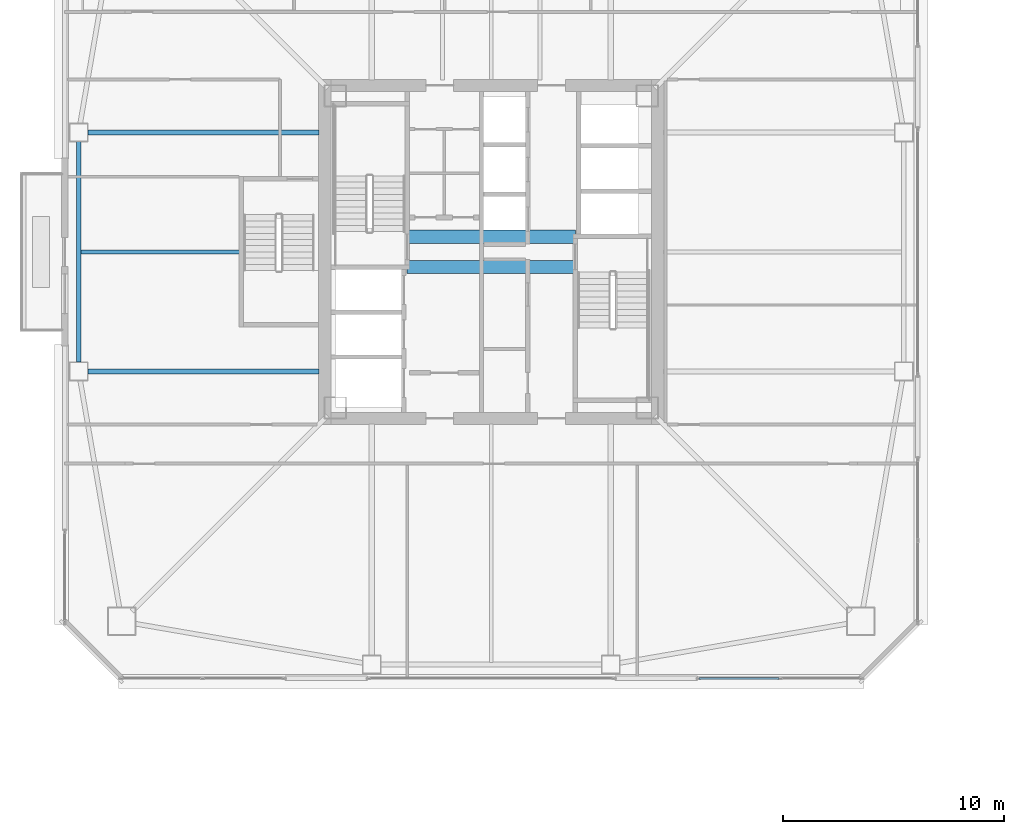
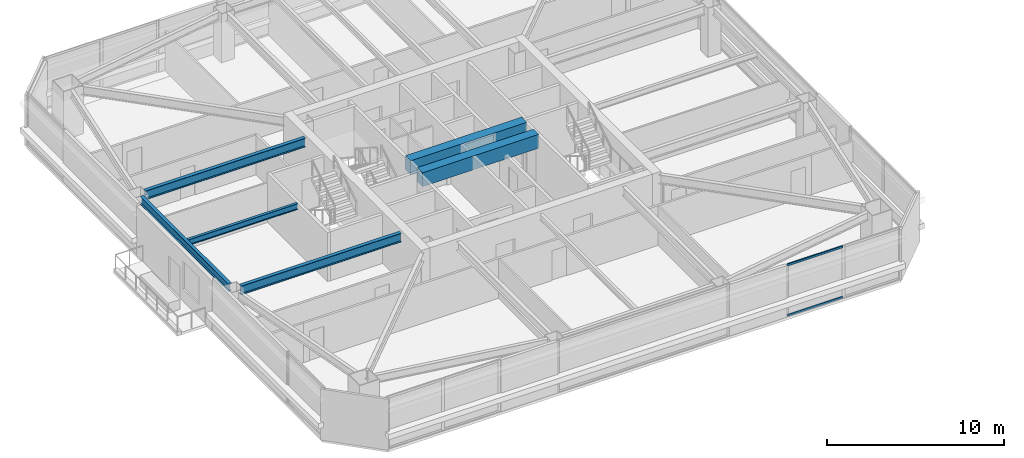
# One storey, part 6 of 46: 6 beams, 2 members, 1 element without a shape of its own.
"""IFC4 building model written with IfcOpenShell, lengths in metres."""

import ifcopenshell
import ifcopenshell.guid

model = None  # the IFC model being written
_history = None  # IfcOwnerHistory: only IFC2X3 demands one
_inside = {}  # id of a spatial element -> (the spatial element, [elements in it])
_under = {}  # id of a project, library or spatial element -> (it, [spatial elements below it])
_declared = {}  # id of a project -> (the project, [libraries it declares])
_typed = {}  # id of a type object -> (the type object, [elements of that type])
_made_of = {}  # id of a material, layer set ... -> (it, [elements and type objects made of it])


def new_model(schema):
    """Start an empty IFC model of exactly this schema.

    Asked for "IFC4X3", IfcOpenShell would pick the latest addendum, in which some entities
    have other attributes; the version numbers below select the first issue.
    IFC2X3 requires an IfcOwnerHistory on every rooted entity: one is made here for all.
    """
    global model, _history
    if schema == "IFC4X3":
        model = ifcopenshell.file(schema_version=(4, 3, 0, 0))
    else:
        model = ifcopenshell.file(schema=schema)
    _inside.clear()
    _under.clear()
    _declared.clear()
    _typed.clear()
    _made_of.clear()
    _history = None
    if model.schema == "IFC2X3":
        org = make("IfcOrganization", Name="unknown")
        user = make(
            "IfcPersonAndOrganization",
            ThePerson=make("IfcPerson", FamilyName="unknown"),
            TheOrganization=org,
        )
        app = make(
            "IfcApplication",
            ApplicationDeveloper=org,
            Version="unknown",
            ApplicationFullName="unknown",
            ApplicationIdentifier="unknown",
        )
        _history = make(
            "IfcOwnerHistory",
            OwningUser=user,
            OwningApplication=app,
            ChangeAction="ADDED",
            CreationDate=0,
        )
    return model


def make(cls, **values):
    """One entity of the class cls with the attributes given. An attribute that is None is left unset."""
    return model.create_entity(
        cls, **{name: value for name, value in values.items() if value is not None}
    )


def rooted(cls, **values):
    """An entity with a GlobalId (a new one), such as an element, a storey or a relation."""
    return make(cls, GlobalId=ifcopenshell.guid.new(), OwnerHistory=_history, **values)


def si_unit(unit_type, name, prefix=None):
    """IfcSIUnit, for example si_unit("LENGTHUNIT", "METRE", prefix="MILLI")."""
    return make("IfcSIUnit", UnitType=unit_type, Prefix=prefix, Name=name)


def assignment(units):
    """IfcUnitAssignment: the units of a project."""
    return None if units is None else make("IfcUnitAssignment", Units=units)


def point(xyz):
    """IfcCartesianPoint."""
    return None if xyz is None else make("IfcCartesianPoint", Coordinates=xyz)


def direction(xyz):
    """IfcDirection."""
    return None if xyz is None else make("IfcDirection", DirectionRatios=xyz)


def frame(location, z_axis=None, x_axis=None):
    """IfcAxis2Placement3D, a coordinate frame: its origin and axes. An axis left out is left unset."""
    return make(
        "IfcAxis2Placement3D",
        Location=point(location),
        Axis=direction(z_axis),
        RefDirection=direction(x_axis),
    )


def frame_2d(location, x_axis=None):
    """IfcAxis2Placement2D, a coordinate frame in the plane: its origin and x axis."""
    return make(
        "IfcAxis2Placement2D", Location=point(location), RefDirection=direction(x_axis)
    )


def origin():
    """The frame at (0, 0, 0) with its axes left unset."""
    return frame((0.0, 0.0, 0.0))


def origin_2d():
    """The frame at (0, 0) in the plane with its x axis left unset."""
    return frame_2d((0.0, 0.0))


def place(relative_to, where):
    """IfcLocalPlacement: puts the frame where relative to a parent placement (None: the world)."""
    return make(
        "IfcLocalPlacement", PlacementRelTo=relative_to, RelativePlacement=where
    )


def context(
    kind, dimensions, precision=None, world=None, true_north=None, identifier=None
):
    """IfcGeometricRepresentationContext, for example the 3D "Model" context."""
    return make(
        "IfcGeometricRepresentationContext",
        ContextIdentifier=identifier,
        ContextType=kind,
        CoordinateSpaceDimension=dimensions,
        Precision=precision,
        WorldCoordinateSystem=world,
        TrueNorth=true_north,
    )


def subcontext(parent, identifier, kind, view, scale=None):
    """IfcGeometricRepresentationSubContext, for example "Body" below "Model"."""
    return make(
        "IfcGeometricRepresentationSubContext",
        ContextIdentifier=identifier,
        ContextType=kind,
        ParentContext=parent,
        TargetScale=scale,
        TargetView=view,
    )


def project(units=None, contexts=None):
    """IfcProject with its units and contexts."""
    return rooted(
        "IfcProject",
        Name="project",
        RepresentationContexts=contexts,
        UnitsInContext=assignment(units),
    )


def spatial(cls, under=None, at=None, **own):
    """A site, building, storey or space (cls), placed at a placement, below another one or the project."""
    s = rooted(cls, ObjectPlacement=at, **own)
    if under is not None:
        _under.setdefault(under.id(), (under, []))[1].append(s)
    return s


def profile(cls, at=None, kind="AREA", **sizes):
    """A parametric profile (cls). Its sizes go by their IFC names, for example OverallWidth=200.0."""
    return make(cls, ProfileType=kind, Position=at, **sizes)


def rectangle(**sizes):
    """IfcRectangleProfileDef."""
    return profile("IfcRectangleProfileDef", **sizes)


def hollow_rectangle(**sizes):
    """IfcRectangleHollowProfileDef."""
    return profile("IfcRectangleHollowProfileDef", **sizes)


def i_section(**sizes):
    """IfcIShapeProfileDef."""
    return profile("IfcIShapeProfileDef", **sizes)


def extrude(swept, where, along, depth):
    """IfcExtrudedAreaSolid: the profile swept, set in the frame where, extruded along a direction by depth."""
    return make(
        "IfcExtrudedAreaSolid",
        SweptArea=swept,
        Position=where,
        ExtrudedDirection=direction(along),
        Depth=depth,
    )


def shape(context_of_items, identifier, shape_type, items):
    """IfcShapeRepresentation: the items that make up one representation, for example the "Body"."""
    return make(
        "IfcShapeRepresentation",
        ContextOfItems=context_of_items,
        RepresentationIdentifier=identifier,
        RepresentationType=shape_type,
        Items=items,
    )


def material(Name=None, Category=None):
    """IfcMaterial."""
    return make("IfcMaterial", Name=Name, Category=Category)


def material_profile(
    of_material, cross_section, Name=None, Category=None, Priority=None
):
    """IfcMaterialProfile: a cross section and its material."""
    return make(
        "IfcMaterialProfile",
        Name=Name,
        Material=of_material,
        Profile=cross_section,
        Priority=Priority,
        Category=Category,
    )


def profile_set(profiles, Name=None, composite=None):
    """IfcMaterialProfileSet."""
    return make(
        "IfcMaterialProfileSet",
        Name=Name,
        MaterialProfiles=profiles,
        CompositeProfile=composite,
    )


def made_of(thing, what):
    """Note that an element or type object is made of a material, layer set ...; save() writes the relation."""
    if what is not None:
        _made_of.setdefault(what.id(), (what, []))[1].append(thing)
    return thing


def type_object(cls, material=None, **own):
    """A type object (cls), such as IfcWallType, which elements share."""
    return made_of(rooted(cls, **own), material)


def element(
    cls,
    number,
    at=None,
    inside=None,
    cuts=None,
    type_object=None,
    material=None,
    context=None,
    identifier="Body",
    shape_type=None,
    held_by="IfcProductDefinitionShape",
    body=None,
    shapes=None,
    **own,
):
    """One element of the class cls, such as IfcWall. Its Tag is "e" and its number.

    at: its placement. inside: the storey or other place that contains it. cuts: it is an
    opening in that element (IfcRelVoidsElement). A single representation is given by context,
    identifier, shape_type and body (its items); several are given by shapes. held_by: the class
    of the entity that holds the representations. save() writes the other relations.
    """
    e = rooted(cls, Tag="e%d" % number, ObjectPlacement=at, **own)
    if body is not None:
        shapes = [shape(context, identifier, shape_type, body)]
    if shapes is not None:
        e.Representation = make(held_by, Representations=shapes)
    if inside is not None:
        _inside.setdefault(inside.id(), (inside, []))[1].append(e)
    if cuts is not None:
        rooted(
            "IfcRelVoidsElement", RelatingBuildingElement=cuts, RelatedOpeningElement=e
        )
    if type_object is not None:
        _typed.setdefault(type_object.id(), (type_object, []))[1].append(e)
    return made_of(e, material)


def aggregate(whole, parts):
    """IfcRelAggregates: a whole, such as a stair, and the parts it consists of."""
    return rooted("IfcRelAggregates", RelatingObject=whole, RelatedObjects=parts)


def save(model, path):
    """Write the relations noted so far, then the file.

    IfcRelAggregates (storeys below a building ...), IfcRelContainedInSpatialStructure (elements
    in a storey), IfcRelDefinesByType, IfcRelAssociatesMaterial and IfcRelDeclares: one each for
    every whole, place, type object, material and project.
    """
    for whole, parts in _under.values():
        aggregate(whole, parts)
    for where, things in _inside.values():
        rooted(
            "IfcRelContainedInSpatialStructure",
            RelatedElements=things,
            RelatingStructure=where,
        )
    for kind, things in _typed.values():
        rooted("IfcRelDefinesByType", RelatedObjects=things, RelatingType=kind)
    for what, things in _made_of.values():
        rooted("IfcRelAssociatesMaterial", RelatedObjects=things, RelatingMaterial=what)
    for by, libraries in _declared.values():
        rooted("IfcRelDeclares", RelatingContext=by, RelatedDefinitions=libraries)
    model.write(path)


model = new_model("IFC4")

# Units and contexts
model_context = context("Model", 3, precision=1e-05, world=origin(), true_north=direction((0.0, 1.0)))
body_context = subcontext(model_context, "Body", "Model", "MODEL_VIEW")
ifc_project = project(units=[si_unit("LENGTHUNIT", "METRE"), si_unit("AREAUNIT", "SQUARE_METRE"), si_unit("VOLUMEUNIT", "CUBIC_METRE"), si_unit("PLANEANGLEUNIT", "RADIAN"), si_unit("MASSUNIT", "GRAM", prefix="KILO")], contexts=[model_context])

# Site, building, storey
site_placement = place(None, origin())
site = spatial("IfcSite", under=ifc_project, at=site_placement, CompositionType="ELEMENT")
building_placement = place(site_placement, origin())
building = spatial("IfcBuilding", under=site, at=building_placement, Name="Tashvorn Skyway Center", CompositionType="ELEMENT")
storey_placement = place(building_placement, frame((0.0, 0.0, 132.14990234375)))
storey = spatial("IfcBuildingStorey", under=building, at=storey_placement, Name="L35", CompositionType="ELEMENT", Elevation=132.14990234375)

# Beams
ifc_material_1 = material(Name="Steel ASTM A992 Grade 50", Category="steel")
ifc_material_profile_1 = material_profile(ifc_material_1, i_section(OverallWidth=0.22998046875, OverallDepth=0.616943359375, WebThickness=0.01318359375, FlangeThickness=0.022216796875, at=origin_2d()), Name="W24X94")
ifc_profile_set_1 = profile_set([ifc_material_profile_1], Name="Steel ASTM A992 Grade 50")
beam_type_1 = type_object("IfcBeamType", Name="BM-BEAM-W24X94", PredefinedType="BEAM", material=ifc_profile_set_1)
for number, where, z_axis, x_axis, name in (
    (1, (23.77001953125, 37.39990234375, 3.0615234375), (1.0, 0.0, 0.0), (0.0, 1.0, 0.0), "Tower 1 L35 Primary Floor Girder FC-W1"),
    (2, (23.77001953125, 26.60009765625, 3.0615234375), (1.0, 0.0, 0.0), (0.0, 1.0, 0.0), "Tower 1 L35 Primary Floor Girder FC-W2"),
):
    element("IfcBeam", number, at=place(storey_placement, frame(where, z_axis=z_axis, x_axis=x_axis)), inside=storey, type_object=beam_type_1, Name=name, PredefinedType="BEAM", context=body_context, shape_type="SweptSolid", body=[
        extrude(i_section(OverallWidth=0.22998046875, OverallDepth=0.616943359375, WebThickness=0.01318359375, FlangeThickness=0.022216796875, at=origin_2d()), origin(), (0.0, 0.0, 1.0), 10.449951171875),
    ])
ifc_material_profile_2 = material_profile(ifc_material_1, i_section(OverallWidth=0.177978515625, OverallDepth=0.406005859375, WebThickness=0.0078125, FlangeThickness=0.0126953125, at=origin_2d()), Name="W16X40")
ifc_profile_set_2 = profile_set([ifc_material_profile_2], Name="Steel ASTM A992 Grade 50")
beam_type_2 = type_object("IfcBeamType", Name="BM-JOIST-W16X40", PredefinedType="JOIST", material=ifc_profile_set_2)
beam_1_placement = place(storey_placement, frame((30.610107421875, 32.0, 3.1669921875), z_axis=(-1.0, 0.0, 0.0), x_axis=(0.0, -1.0, 0.0)))
element("IfcBeam", 3, at=beam_1_placement, inside=storey, type_object=beam_type_2, Name="Tower 1 L35 Secondary Composite Joist JW", PredefinedType="JOIST", context=body_context, shape_type="SweptSolid", body=[
    extrude(i_section(OverallWidth=0.177978515625, OverallDepth=0.406005859375, WebThickness=0.0078125, FlangeThickness=0.0126953125, at=origin_2d()), origin(), (0.0, 0.0, 1.0), 7.16259765625),
])
ifc_material_2 = material(Name="Concrete C60/75", Category="concrete")
ifc_material_profile_3 = material_profile(ifc_material_2, rectangle(XDim=0.60009765625, YDim=0.949951171875, at=origin_2d()), Name="RCB600x950")
ifc_profile_set_3 = profile_set([ifc_material_profile_3], Name="Concrete C60/75")
beam_type_3 = type_object("IfcBeamType", Name="BM-LINTEL-RCB600x950", PredefinedType="LINTEL", material=ifc_profile_set_3)
for number, where, z_axis, x_axis, name in (
    (4, (38.199951171875, 32.679931640625, 2.89501953125), (1.0, 0.0, 0.0), (0.0, 1.0, 0.0), "Tower 1 L35 Core Coupling Beam CN"),
    (5, (38.199951171875, 31.320068359375, 2.89501953125), (1.0, 0.0, 0.0), (0.0, 1.0, 0.0), "Tower 1 L35 Core Coupling Beam CS"),
):
    element("IfcBeam", number, at=place(storey_placement, frame(where, z_axis=z_axis, x_axis=x_axis)), inside=storey, type_object=beam_type_3, Name=name, PredefinedType="LINTEL", context=body_context, shape_type="SweptSolid", body=[
        extrude(rectangle(XDim=0.60009765625, YDim=0.949951171875, at=origin_2d()), origin(), (0.0, 0.0, 1.0), 7.60009765625),
    ])
ifc_material_profile_4 = material_profile(ifc_material_1, i_section(OverallWidth=0.2109375, OverallDepth=0.5390625, WebThickness=0.01171875, FlangeThickness=0.018798828125, at=origin_2d()), Name="W21X73")
ifc_profile_set_4 = profile_set([ifc_material_profile_4], Name="Steel ASTM A992 Grade 50")
beam_type_4 = type_object("IfcBeamType", Name="BM-SPANDREL-W21X73", PredefinedType="SPANDREL", material=ifc_profile_set_4)
beam_2_placement = place(storey_placement, frame((23.35009765625, 36.97998046875, 3.1005859375), z_axis=(0.0, -1.0, 0.0), x_axis=(1.0, 0.0, 0.0)))
element("IfcBeam", 6, at=beam_2_placement, inside=storey, type_object=beam_type_4, Name="Tower 1 L35 Spandrel Beam 11", PredefinedType="SPANDREL", context=body_context, shape_type="SweptSolid", body=[
    extrude(i_section(OverallWidth=0.2109375, OverallDepth=0.5390625, WebThickness=0.01171875, FlangeThickness=0.018798828125, at=origin_2d()), origin(), (0.0, 0.0, 1.0), 9.9599609375),
])

# Curtain wall, members
ifc_material_3 = material(Name="Thermally broken bronze-anodized aluminium 6063-T6", Category="aluminium")
curtain_wall_type = type_object("IfcCurtainWallType", Name="CW-CW-Z3", PredefinedType="NOTDEFINED", material=ifc_material_3)
curtain_wall_placement = place(storey_placement, origin())
curtain_wall = element("IfcCurtainWall", 7, at=curtain_wall_placement, inside=storey, type_object=curtain_wall_type, Name="Tower 1 L35 South Unitised Curtain Wall Glazing Group 1", PredefinedType="NOTDEFINED")
ifc_material_profile_5 = material_profile(ifc_material_3, hollow_rectangle(XDim=0.074951171875, YDim=0.139892578125, WallThickness=0.004150390625, at=origin_2d()), Name="ALU-TRAN-75x140")
ifc_profile_set_5 = profile_set([ifc_material_profile_5], Name="Thermally broken bronze-anodized aluminium 6063-T6")
member_type = type_object("IfcMemberType", Name="CWT-CW-Z3", PredefinedType="USERDEFINED", material=ifc_profile_set_5)
member_1_placement = place(storey_placement, frame((55.013671875, 12.719970703125, 0.03759765625), z_axis=(-1.0, 0.0, 0.0), x_axis=(0.0, -1.0, 0.0)))
member_1 = element("IfcMember", 8, at=member_1_placement, type_object=member_type, Name="CW-Z3 transom 2.1", ObjectType="TRANSOM", PredefinedType="USERDEFINED", context=body_context, shape_type="SweptSolid", body=[
    extrude(hollow_rectangle(XDim=0.074951171875, YDim=0.139892578125, WallThickness=0.004150390625, at=origin_2d()), origin(), (0.0, 0.0, 1.0), 3.616455078125),
])
member_2_placement = place(storey_placement, frame((55.013671875, 12.719970703125, 3.5126953125), z_axis=(-1.0, 0.0, 0.0), x_axis=(0.0, -1.0, 0.0)))
member_2 = element("IfcMember", 9, at=member_2_placement, type_object=member_type, Name="CW-Z3 transom 2.2", ObjectType="TRANSOM", PredefinedType="USERDEFINED", context=body_context, shape_type="SweptSolid", body=[
    extrude(hollow_rectangle(XDim=0.074951171875, YDim=0.139892578125, WallThickness=0.004150390625, at=origin_2d()), origin(), (0.0, 0.0, 1.0), 3.616455078125),
])
aggregate(curtain_wall, [member_1, member_2])

save(model, "model.ifc")
